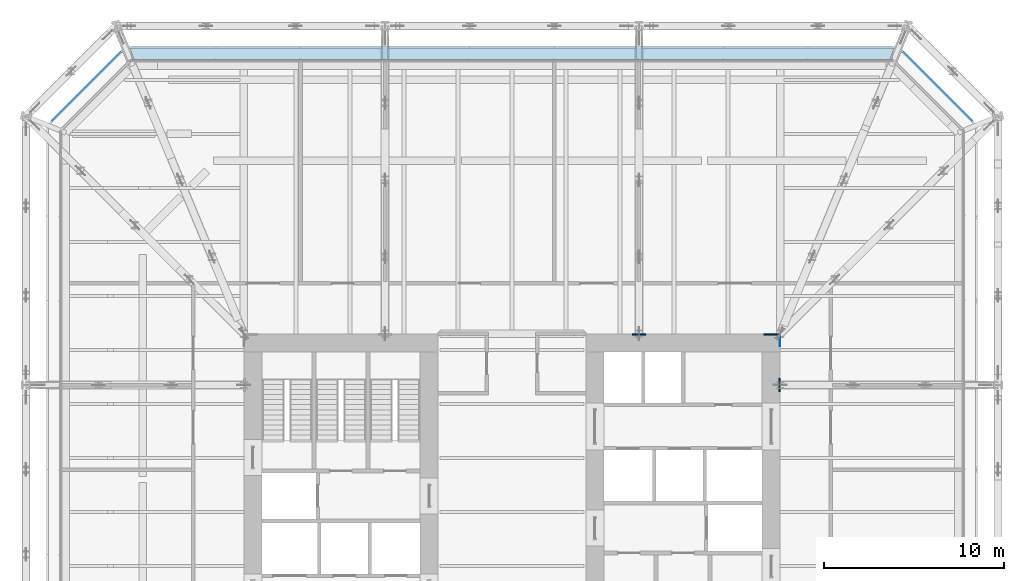
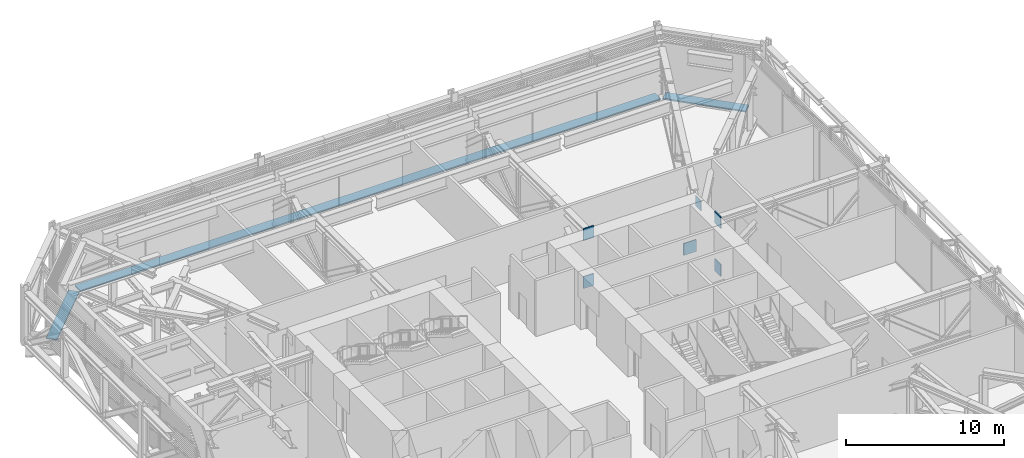
# One storey, part 28 of 33: 9 discrete accessories.
"""IFC4 building model written with IfcOpenShell, lengths in metres."""

from ifc_helpers import new_model, si_unit, direction, frame, origin, origin_2d, place, context, subcontext, project, spatial, rectangle, extrude, material, layer, layer_set, type_object, element, save


model = new_model("IFC4")

# Units and contexts
model_context = context("Model", 3, precision=1e-05, world=origin(), true_north=direction((0.0, 1.0)))
body_context = subcontext(model_context, "Body", "Model", "MODEL_VIEW")
ifc_project = project(units=[si_unit("LENGTHUNIT", "METRE"), si_unit("AREAUNIT", "SQUARE_METRE"), si_unit("VOLUMEUNIT", "CUBIC_METRE"), si_unit("PLANEANGLEUNIT", "RADIAN"), si_unit("MASSUNIT", "GRAM", prefix="KILO")], contexts=[model_context])

# Site, building, storey
site_placement = place(None, origin())
site = spatial("IfcSite", under=ifc_project, at=site_placement, CompositionType="ELEMENT")
building_placement = place(site_placement, origin())
building = spatial("IfcBuilding", under=site, at=building_placement, Name="Millrace Tower", CompositionType="ELEMENT")
storey_placement = place(building_placement, frame((0.0, 0.0, 64.10009765625)))
storey = spatial("IfcBuildingStorey", under=building, at=storey_placement, Name="L14", CompositionType="ELEMENT", Elevation=64.10009765625)

# Discrete accessories
ifc_material_1 = material(Name="Steel ASTM A572 Grade 50", Category="steel")
ifc_layer_1 = layer(ifc_material_1, 0.030029296875)
ifc_layer_set_1 = layer_set([ifc_layer_1], Name="Steel ASTM A572 Grade 50")
discrete_accessory_type_1 = type_object("IfcDiscreteAccessoryType", Name="Cast-in anchor plate 705x795x30", PredefinedType="ANCHORPLATE", material=ifc_layer_set_1)
discrete_accessory_1_placement = place(storey_placement, frame((14.8701171875, 9.547607421875, 3.686767578125), z_axis=(1.0, 0.0, 0.0), x_axis=(0.0, 1.0, 0.0)))
element("IfcDiscreteAccessory", 1, at=discrete_accessory_1_placement, inside=storey, type_object=discrete_accessory_type_1, Name="Cast-in anchor plate BLT-L14-O09-V00", PredefinedType="ANCHORPLATE", context=body_context, shape_type="SweptSolid", body=[
    extrude(rectangle(XDim=0.705078125, YDim=0.794921875, at=origin_2d()), origin(), (0.0, 0.0, 1.0), 0.02978515625),
])
ifc_material_2 = material(Name="Steel ASTM A572 Grade 50", Category="steel")
ifc_layer_2 = layer(ifc_material_2, 0.080078125)
ifc_layer_set_2 = layer_set([ifc_layer_2], Name="Steel ASTM A572 Grade 50")
discrete_accessory_type_2 = type_object("IfcDiscreteAccessoryType", Name="Cast-in anchor plate 740x915x80", PredefinedType="ANCHORPLATE", material=ifc_layer_set_2)
for number, where, z_axis, x_axis, name in (
    (2, (14.820068359375, 7.050048828125, 0.25634765625), (1.0, 0.0, 0.0), (0.0, 1.0, 0.0), "Cast-in anchor plate BLT-L14-O08-B01"),
    (3, (14.820068359375, 7.050048828125, 3.943359375), (1.0, 0.0, 0.0), (0.0, 1.0, 0.0), "Cast-in anchor plate BLT-L14-O08-T01"),
    (4, (7.050048828125, 9.820068359375, 0.25634765625), (0.0, 1.0, 0.0), (-1.0, 0.0, 0.0), "Cast-in anchor plate BLT-L14-O11-B01"),
    (5, (7.050048828125, 9.820068359375, 3.943359375), (0.0, 1.0, 0.0), (-1.0, 0.0, 0.0), "Cast-in anchor plate BLT-L14-O11-T01"),
):
    element("IfcDiscreteAccessory", number, at=place(storey_placement, frame(where, z_axis=z_axis, x_axis=x_axis)), inside=storey, type_object=discrete_accessory_type_2, Name=name, PredefinedType="ANCHORPLATE", context=body_context, shape_type="SweptSolid", body=[
        extrude(rectangle(XDim=0.739990234375, YDim=0.9150390625, at=origin_2d()), origin(), (0.0, 0.0, 1.0), 0.079833984375),
    ])
ifc_material_3 = material(Name="Steel ASTM A572 Grade 50", Category="steel")
ifc_layer_3 = layer(ifc_material_3, 0.080078125)
ifc_layer_set_3 = layer_set([ifc_layer_3], Name="Steel ASTM A572 Grade 50")
discrete_accessory_type_3 = type_object("IfcDiscreteAccessoryType", Name="Cast-in anchor plate 920x915x80", PredefinedType="ANCHORPLATE", material=ifc_layer_set_3)
discrete_accessory_2_placement = place(storey_placement, frame((14.43994140625, 9.820068359375, 0.25634765625), z_axis=(0.0, 1.0, 0.0), x_axis=(-1.0, 0.0, 0.0)))
element("IfcDiscreteAccessory", 6, at=discrete_accessory_2_placement, inside=storey, type_object=discrete_accessory_type_3, Name="Cast-in anchor plate BLT-L14-O09-B01", PredefinedType="ANCHORPLATE", context=body_context, shape_type="SweptSolid", body=[
    extrude(rectangle(XDim=0.919921875, YDim=0.9150390625, at=origin_2d()), origin(), (0.0, 0.0, 1.0), 0.079833984375),
])
ifc_material_4 = material(Name="Stainless steel ASTM A240 type 316", Category="steel")
discrete_accessory_type_4 = type_object("IfcDiscreteAccessoryType", Name="Thermally broken screen support rail", PredefinedType="BRACKET", material=ifc_material_4)
discrete_accessory_3_placement = place(storey_placement, frame((23.435546875, 23.435546875, -0.000244140625), z_axis=(0.0, 0.0, 1.0), x_axis=(-0.707106781187, 0.707106781187, 0.0)))
element("IfcDiscreteAccessory", 7, at=discrete_accessory_3_placement, inside=storey, type_object=discrete_accessory_type_4, Name="Thermally broken screen support rail A-F05 L14 1", PredefinedType="BRACKET", context=body_context, shape_type="SweptSolid", body=[
    extrude(rectangle(XDim=5.44482421875, YDim=0.719970703125, at=origin_2d()), origin(), (0.0, 0.0, 1.0), 0.10009765625),
])
discrete_accessory_4_placement = place(storey_placement, frame((0.0, 25.510009765625, -0.000244140625), z_axis=(0.0, 0.0, 1.0), x_axis=(-1.0, 0.0, 0.0)))
element("IfcDiscreteAccessory", 8, at=discrete_accessory_4_placement, inside=storey, type_object=discrete_accessory_type_4, Name="Thermally broken screen support rail A-F06 L14 1", PredefinedType="BRACKET", context=body_context, shape_type="SweptSolid", body=[
    extrude(rectangle(XDim=42.300048828125, YDim=0.719970703125, at=origin_2d()), origin(), (0.0, 0.0, 1.0), 0.10009765625),
])
discrete_accessory_5_placement = place(storey_placement, frame((-23.435546875, 23.435546875, -0.000244140625), z_axis=(0.0, 0.0, 1.0), x_axis=(-0.707106781187, -0.707106781187, 0.0)))
element("IfcDiscreteAccessory", 9, at=discrete_accessory_5_placement, inside=storey, type_object=discrete_accessory_type_4, Name="Thermally broken screen support rail A-F07 L14 1", PredefinedType="BRACKET", context=body_context, shape_type="SweptSolid", body=[
    extrude(rectangle(XDim=5.44482421875, YDim=0.719970703125, at=origin_2d()), origin(), (0.0, 0.0, 1.0), 0.10009765625),
])

save(model, "model.ifc")
